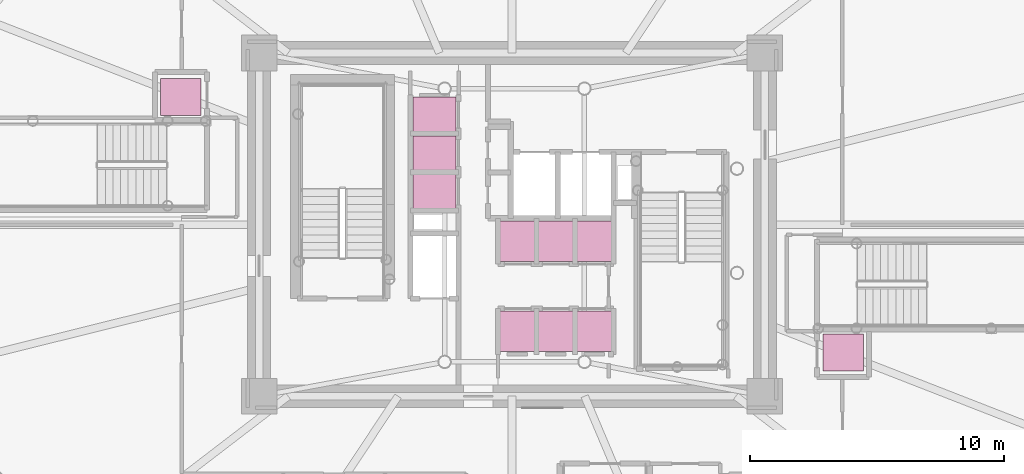
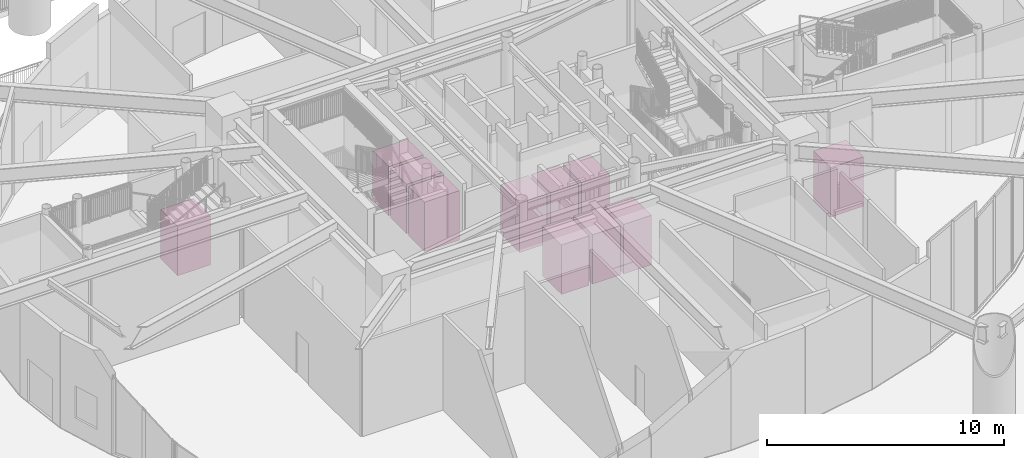
# One storey, part 46 of 46: 11 transport elements.
"""IFC4 building model written with IfcOpenShell, lengths in metres."""

from ifc_helpers import new_model, si_unit, direction, frame, origin, origin_2d, place, context, subcontext, project, spatial, rectangle, extrude, source, transform, mapped, material, type_object, element, save


model = new_model("IFC4")

# Units and contexts
model_context = context("Model", 3, precision=1e-05, world=origin(), true_north=direction((0.0, 1.0)))
body_context = subcontext(model_context, "Body", "Model", "MODEL_VIEW")
ifc_project = project(units=[si_unit("LENGTHUNIT", "METRE"), si_unit("AREAUNIT", "SQUARE_METRE"), si_unit("VOLUMEUNIT", "CUBIC_METRE"), si_unit("PLANEANGLEUNIT", "RADIAN"), si_unit("MASSUNIT", "GRAM", prefix="KILO")], contexts=[model_context])

# Site, building, storey
site_placement = place(None, origin())
site = spatial("IfcSite", under=ifc_project, at=site_placement, CompositionType="ELEMENT")
building_placement = place(site_placement, origin())
building = spatial("IfcBuilding", under=site, at=building_placement, Name="Linh Dai School and Residence Tower", CompositionType="ELEMENT")
storey_placement = place(building_placement, origin())
storey = spatial("IfcBuildingStorey", under=building, at=storey_placement, Name="L00", CompositionType="ELEMENT", Elevation=0.0)

# Transport elements
ifc_material = material(Name="Stainless Steel Lift Cab Assembly", Category="steel")
transport_element_type_1 = type_object("IfcTransportElementType", Name="LFT-PASS-1350KG", PredefinedType="ELEVATOR", material=ifc_material)
shared_shape_1 = source(origin(), body_context, "Body", "SweptSolid", [
    extrude(rectangle(XDim=1.35009765625, YDim=1.60009765625, at=origin_2d()), origin(), (0.0, 0.0, 1.0), 2.550048828125),
])
for number, where, z_axis, x_axis, name in (
    (1, (36.205078125, 22.800048828125, 0.0), (0.0, 0.0, 1.0), (1.0, 0.0, 0.0), "Low-Zone Passenger Lift PL1"),
    (2, (37.719970703125, 22.800048828125, 0.0), (0.0, 0.0, 1.0), (1.0, 0.0, 0.0), "Low-Zone Passenger Lift PL2"),
    (3, (39.239990234375, 22.800048828125, 0.0), (0.0, 0.0, 1.0), (1.0, 0.0, 0.0), "Low-Zone Passenger Lift PL3"),
    (4, (36.205078125, 26.35009765625, 0.0), (0.0, 0.0, 1.0), (1.0, 0.0, 0.0), "High-Zone Passenger Lift PL7"),
    (5, (37.719970703125, 26.35009765625, 0.0), (0.0, 0.0, 1.0), (1.0, 0.0, 0.0), "High-Zone Passenger Lift PL8"),
    (6, (39.239990234375, 26.35009765625, 0.0), (0.0, 0.0, 1.0), (1.0, 0.0, 0.0), "High-Zone Passenger Lift PL9"),
):
    element("IfcTransportElement", number, at=place(storey_placement, frame(where, z_axis=z_axis, x_axis=x_axis)), inside=storey, type_object=transport_element_type_1, Name=name, PredefinedType="ELEVATOR", context=body_context, shape_type="MappedRepresentation", body=[
        mapped(shared_shape_1, transform((0.0, 0.0, 0.0), x_axis=(1.0, 0.0, 0.0), y_axis=(0.0, 1.0, 0.0), z_axis=(0.0, 0.0, 1.0), scale=1.0)),
    ])
shared_shape_2 = source(origin(), body_context, "Body", "SweptSolid", [
    extrude(rectangle(XDim=1.699951171875, YDim=1.35009765625, at=origin_2d()), origin(), (0.0, 0.0, 1.0), 2.550048828125),
])
for number, where, z_axis, x_axis, name in (
    (7, (32.949951171875, 28.304931640625, 0.0), (0.0, 0.0, 1.0), (1.0, 0.0, 0.0), "Mid-Zone Passenger Lift PL4"),
    (8, (32.949951171875, 29.820068359375, 0.0), (0.0, 0.0, 1.0), (1.0, 0.0, 0.0), "Mid-Zone Passenger Lift PL5"),
    (9, (32.949951171875, 31.340087890625, 0.0), (0.0, 0.0, 1.0), (1.0, 0.0, 0.0), "Mid-Zone Passenger Lift PL6"),
):
    element("IfcTransportElement", number, at=place(storey_placement, frame(where, z_axis=z_axis, x_axis=x_axis)), inside=storey, type_object=transport_element_type_1, Name=name, PredefinedType="ELEVATOR", context=body_context, shape_type="MappedRepresentation", body=[
        mapped(shared_shape_2, transform((0.0, 0.0, 0.0), x_axis=(1.0, 0.0, 0.0), y_axis=(0.0, 1.0, 0.0), z_axis=(0.0, 0.0, 1.0), scale=1.0)),
    ])
transport_element_type_2 = type_object("IfcTransportElementType", Name="LFT-SCH-1150KG", PredefinedType="ELEVATOR", material=ifc_material)
shared_shape_3 = source(origin(), body_context, "Body", "SweptSolid", [
    extrude(rectangle(XDim=1.60009765625, YDim=1.449951171875, at=origin_2d()), origin(), (0.0, 0.0, 1.0), 2.550048828125),
])
for number, where, z_axis, x_axis, name in (
    (10, (22.97509765625, 32.02490234375, 0.0), (0.0, 0.0, 1.0), (1.0, 0.0, 0.0), "School Passenger Lift SL1"),
    (11, (49.02490234375, 21.97509765625, 0.0), (0.0, 0.0, 1.0), (1.0, 0.0, 0.0), "School Passenger Lift SL2"),
):
    element("IfcTransportElement", number, at=place(storey_placement, frame(where, z_axis=z_axis, x_axis=x_axis)), inside=storey, type_object=transport_element_type_2, Name=name, PredefinedType="ELEVATOR", context=body_context, shape_type="MappedRepresentation", body=[
        mapped(shared_shape_3, transform((0.0, 0.0, 0.0), x_axis=(1.0, 0.0, 0.0), y_axis=(0.0, 1.0, 0.0), z_axis=(0.0, 0.0, 1.0), scale=1.0)),
    ])

save(model, "model.ifc")
